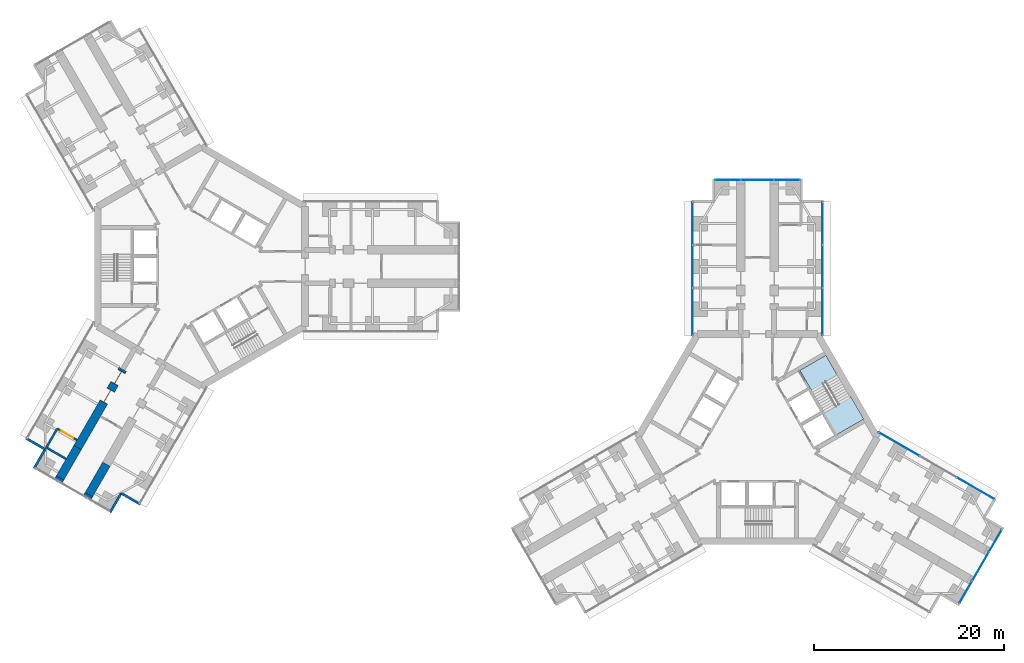
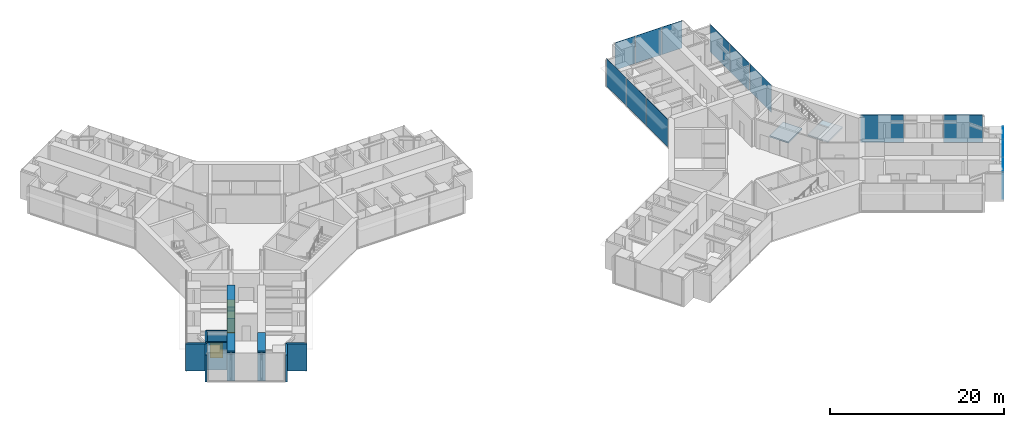
# One storey, part 15 of 23: 14 plates, 12 walls, 3 doors, 2 slabs, 3 openings, 6 elements without a shape of their own.
"""IFC4 building model written with IfcOpenShell, lengths in metres."""

from ifc_helpers import new_model, si_unit, direction, frame, frame_2d, origin, origin_2d, place, context, subcontext, project, spatial, polyline, rectangle, outline, extrude, material, layer, layer_set, type_object, element, fill, aggregate, save


model = new_model("IFC4")

# Units and contexts
model_context = context("Model", 3, precision=1e-05, world=origin(), true_north=direction((0.0, 1.0)))
body_context = subcontext(model_context, "Body", "Model", "MODEL_VIEW")
ifc_project = project(units=[si_unit("LENGTHUNIT", "METRE"), si_unit("AREAUNIT", "SQUARE_METRE"), si_unit("VOLUMEUNIT", "CUBIC_METRE"), si_unit("PLANEANGLEUNIT", "RADIAN"), si_unit("MASSUNIT", "GRAM", prefix="KILO")], contexts=[model_context])

# Site, building, storey
site_placement = place(None, origin())
site = spatial("IfcSite", under=ifc_project, at=site_placement, CompositionType="ELEMENT")
building_placement = place(site_placement, origin())
building = spatial("IfcBuilding", under=site, at=building_placement, Name="Upepo Twin Towers", CompositionType="ELEMENT")
storey_placement = place(building_placement, frame((0.0, 0.0, 32.5)))
storey = spatial("IfcBuildingStorey", under=building, at=storey_placement, Name="L07", CompositionType="ELEMENT", Elevation=32.5)

# Curtain wall, plates
ifc_material_1 = material(Name="Aluminium and fritted glass", Category="aluminium")
curtain_wall_type = type_object("IfcCurtainWallType", Name="Tower curtain wall TW1, fritted glass", PredefinedType="NOTDEFINED", material=ifc_material_1)
curtain_wall_1_placement = place(storey_placement, origin())
curtain_wall_1 = element("IfcCurtainWall", 1, at=curtain_wall_1_placement, inside=storey, type_object=curtain_wall_type, Name="T2 L07 wing A flank L curtain wall", PredefinedType="NOTDEFINED")
ifc_material_2 = material(Name="Ceramic-fritted laminated glass", Category="glass")
ifc_layer_1 = layer(ifc_material_2, 0.031982421875)
ifc_layer_set_1 = layer_set([ifc_layer_1], Name="Fritted glass panel, 20 per cent dot frit, 32 mm double glazed")
plate_type_1 = type_object("IfcPlateType", Name="Fritted glass panel, 20 per cent dot frit, 32 mm double glazed", PredefinedType="CURTAIN_PANEL", material=ifc_layer_set_1)
plate_1_placement = place(storey_placement, frame((51.64990234375, -4.76513671875, 0.14990234375), z_axis=(0.0, 0.0, 1.0), x_axis=(0.0, 1.0, 0.0)))
plate_1 = element("IfcPlate", 2, at=plate_1_placement, type_object=plate_type_1, Name="T2 L07 wing A flank L curtain wall panel 1", PredefinedType="CURTAIN_PANEL", context=body_context, shape_type="SweptSolid", body=[
    extrude(rectangle(XDim=4.96533203125, YDim=0.031982421875, at=origin_2d()), origin(), (0.0, 0.0, 1.0), 3.85009765625),
])
plate_2_placement = place(storey_placement, frame((51.64990234375, 0.0, 0.14990234375), z_axis=(0.0, 0.0, 1.0), x_axis=(0.0, 1.0, 0.0)))
plate_2 = element("IfcPlate", 3, at=plate_2_placement, type_object=plate_type_1, Name="T2 L07 wing A flank L curtain wall panel 2", PredefinedType="CURTAIN_PANEL", context=body_context, shape_type="SweptSolid", body=[
    extrude(rectangle(XDim=4.43505859375, YDim=0.031982421875, at=origin_2d()), origin(), (0.0, 0.0, 1.0), 3.85009765625),
])
plate_3_placement = place(storey_placement, frame((51.64990234375, 4.53369140625, 0.14990234375), z_axis=(0.0, 0.0, 1.0), x_axis=(0.0, 1.0, 0.0)))
plate_3 = element("IfcPlate", 4, at=plate_3_placement, type_object=plate_type_1, Name="T2 L07 wing A flank L curtain wall panel 3", PredefinedType="CURTAIN_PANEL", context=body_context, shape_type="SweptSolid", body=[
    extrude(rectangle(XDim=4.50244140625, YDim=0.031982421875, at=origin_2d()), origin(), (0.0, 0.0, 1.0), 3.85009765625),
])
aggregate(curtain_wall_1, [plate_1, plate_2, plate_3])

curtain_wall_2_placement = place(storey_placement, origin())
curtain_wall_2 = element("IfcCurtainWall", 5, at=curtain_wall_2_placement, inside=storey, type_object=curtain_wall_type, Name="T2 L07 wing A flank R curtain wall", PredefinedType="NOTDEFINED")
plate_4_placement = place(storey_placement, frame((65.35009765625, 4.53369140625, 0.14990234375), z_axis=(0.0, 0.0, 1.0), x_axis=(0.0, -1.0, 0.0)))
plate_4 = element("IfcPlate", 6, at=plate_4_placement, type_object=plate_type_1, Name="T2 L07 wing A flank R curtain wall panel 1", PredefinedType="CURTAIN_PANEL", context=body_context, shape_type="SweptSolid", body=[
    extrude(rectangle(XDim=4.50244140625, YDim=0.031982421875, at=origin_2d()), origin(), (0.0, 0.0, 1.0), 3.85009765625),
])
plate_5_placement = place(storey_placement, frame((65.35009765625, 0.0, 0.14990234375), z_axis=(0.0, 0.0, 1.0), x_axis=(0.0, -1.0, 0.0)))
plate_5 = element("IfcPlate", 7, at=plate_5_placement, type_object=plate_type_1, Name="T2 L07 wing A flank R curtain wall panel 2", PredefinedType="CURTAIN_PANEL", context=body_context, shape_type="SweptSolid", body=[
    extrude(rectangle(XDim=4.43505859375, YDim=0.031982421875, at=origin_2d()), origin(), (0.0, 0.0, 1.0), 3.85009765625),
])
plate_6_placement = place(storey_placement, frame((65.35009765625, -4.76513671875, 0.14990234375), z_axis=(0.0, 0.0, 1.0), x_axis=(0.0, -1.0, 0.0)))
plate_6 = element("IfcPlate", 8, at=plate_6_placement, type_object=plate_type_1, Name="T2 L07 wing A flank R curtain wall panel 3", PredefinedType="CURTAIN_PANEL", context=body_context, shape_type="SweptSolid", body=[
    extrude(rectangle(XDim=4.96533203125, YDim=0.031982421875, at=origin_2d()), origin(), (0.0, 0.0, 1.0), 3.85009765625),
])
aggregate(curtain_wall_2, [plate_4, plate_5, plate_6])

# Curtain wall, plate
curtain_wall_3_placement = place(storey_placement, origin())
curtain_wall_3 = element("IfcCurtainWall", 9, at=curtain_wall_3_placement, inside=storey, type_object=curtain_wall_type, Name="T2 L07 wing A nose curtain wall", PredefinedType="NOTDEFINED")
plate_7_placement = place(storey_placement, frame((58.5, 9.10009765625, 0.14990234375), z_axis=(0.0, 0.0, 1.0), x_axis=(-1.0, 0.0, 0.0)))
plate_7 = element("IfcPlate", 10, at=plate_7_placement, type_object=plate_type_1, Name="T2 L07 wing A nose curtain wall panel 2", PredefinedType="CURTAIN_PANEL", context=body_context, shape_type="SweptSolid", body=[
    extrude(rectangle(XDim=3.43505859375, YDim=0.031982421875, at=origin_2d()), origin(), (0.0, 0.0, 1.0), 3.85009765625),
])

# Curtain wall, plates
curtain_wall_4_placement = place(storey_placement, origin())
curtain_wall_4 = element("IfcCurtainWall", 11, at=curtain_wall_4_placement, inside=storey, type_object=curtain_wall_type, Name="T2 L07 wing C flank L curtain wall", PredefinedType="NOTDEFINED")
plate_8_placement = place(storey_placement, frame((73.38671875, -18.68505859375, 0.14990234375), z_axis=(0.0, 0.0, 1.0), x_axis=(0.866025389682, -0.500000024426, 0.0)))
plate_8 = element("IfcPlate", 12, at=plate_8_placement, type_object=plate_type_1, Name="T2 L07 wing C flank L curtain wall panel 1", PredefinedType="CURTAIN_PANEL", context=body_context, shape_type="SweptSolid", body=[
    extrude(rectangle(XDim=4.96533203125, YDim=0.031982421875, at=origin_2d()), origin(), (0.0, 0.0, 1.0), 3.85009765625),
])
plate_9_placement = place(storey_placement, frame((81.439697265625, -23.334716796875, 0.14990234375), z_axis=(0.0, 0.0, 1.0), x_axis=(0.866025389682, -0.500000024426, 0.0)))
plate_9 = element("IfcPlate", 13, at=plate_9_placement, type_object=plate_type_1, Name="T2 L07 wing C flank L curtain wall panel 3", PredefinedType="CURTAIN_PANEL", context=body_context, shape_type="SweptSolid", body=[
    extrude(rectangle(XDim=4.50244140625, YDim=0.031982421875, at=origin_2d()), origin(), (0.0, 0.0, 1.0), 3.85009765625),
])
aggregate(curtain_wall_4, [plate_8, plate_9])

# Curtain wall, plate
curtain_wall_5_placement = place(storey_placement, origin())
curtain_wall_5 = element("IfcCurtainWall", 14, at=curtain_wall_5_placement, inside=storey, type_object=curtain_wall_type, Name="T2 L07 wing C nose curtain wall", PredefinedType="NOTDEFINED")
plate_10_placement = place(storey_placement, frame((81.96923828125, -31.550048828125, 0.14990234375), z_axis=(0.0, 0.0, 1.0), x_axis=(0.500000030502, 0.866025386174, 0.0)))
plate_10 = element("IfcPlate", 15, at=plate_10_placement, type_object=plate_type_1, Name="T2 L07 wing C nose curtain wall panel 2", PredefinedType="CURTAIN_PANEL", context=body_context, shape_type="SweptSolid", body=[
    extrude(rectangle(XDim=3.43505859375, YDim=0.031982421875, at=origin_2d()), origin(), (0.0, 0.0, 1.0), 3.85009765625),
])

# Plate
ifc_material_3 = material(Name="Clear laminated glass in opening sash", Category="glass")
ifc_layer_2 = layer(ifc_material_3, 0.031982421875)
ifc_layer_set_2 = layer_set([ifc_layer_2], Name="Operable glass panel, 32 mm double glazed")
plate_type_2 = type_object("IfcPlateType", Name="Operable glass panel, 32 mm double glazed", PredefinedType="CURTAIN_PANEL", material=ifc_layer_set_2)
plate_11_placement = place(storey_placement, frame((61.608642578125, 9.10009765625, 0.14990234375), z_axis=(0.0, 0.0, 1.0), x_axis=(-1.0, 0.0, 0.0)))
plate_11 = element("IfcPlate", 16, at=plate_11_placement, type_object=plate_type_2, Name="T2 L07 wing A nose curtain wall panel 1", PredefinedType="CURTAIN_PANEL", context=body_context, shape_type="SweptSolid", body=[
    extrude(rectangle(XDim=2.652587890625, YDim=0.031982421875, at=origin_2d()), origin(), (0.0, 0.0, 1.0), 3.85009765625),
])

plate_12_placement = place(storey_placement, frame((55.391357421875, 9.10009765625, 0.14990234375), z_axis=(0.0, 0.0, 1.0), x_axis=(-1.0, 0.0, 0.0)))
plate_12 = element("IfcPlate", 17, at=plate_12_placement, type_object=plate_type_2, Name="T2 L07 wing A nose curtain wall panel 3", PredefinedType="CURTAIN_PANEL", context=body_context, shape_type="SweptSolid", body=[
    extrude(rectangle(XDim=2.652587890625, YDim=0.031982421875, at=origin_2d()), origin(), (0.0, 0.0, 1.0), 3.85009765625),
])

aggregate(curtain_wall_3, [plate_11, plate_7, plate_12])

plate_13_placement = place(storey_placement, frame((80.414794921875, -34.2421875, 0.14990234375), z_axis=(0.0, 0.0, 1.0), x_axis=(0.500000030502, 0.866025386174, 0.0)))
plate_13 = element("IfcPlate", 18, at=plate_13_placement, type_object=plate_type_2, Name="T2 L07 wing C nose curtain wall panel 1", PredefinedType="CURTAIN_PANEL", context=body_context, shape_type="SweptSolid", body=[
    extrude(rectangle(XDim=2.652587890625, YDim=0.031982421875, at=origin_2d()), origin(), (0.0, 0.0, 1.0), 3.85009765625),
])

plate_14_placement = place(storey_placement, frame((83.523681640625, -28.857666015625, 0.14990234375), z_axis=(0.0, 0.0, 1.0), x_axis=(0.500000030502, 0.866025386174, 0.0)))
plate_14 = element("IfcPlate", 19, at=plate_14_placement, type_object=plate_type_2, Name="T2 L07 wing C nose curtain wall panel 3", PredefinedType="CURTAIN_PANEL", context=body_context, shape_type="SweptSolid", body=[
    extrude(rectangle(XDim=2.652587890625, YDim=0.031982421875, at=origin_2d()), origin(), (0.0, 0.0, 1.0), 3.85009765625),
])

aggregate(curtain_wall_5, [plate_13, plate_10, plate_14])

# Stair, slabs
ifc_material_4 = material(Name="Concrete C40/50", Category="concrete")
stair_type = type_object("IfcStairType", Name="Core stair, two flights", PredefinedType="HALF_TURN_STAIR", material=ifc_material_4)
stair_placement = place(storey_placement, origin())
stair = element("IfcStair", 20, at=stair_placement, inside=storey, type_object=stair_type, Name="T2 stair S2 L07", PredefinedType="HALF_TURN_STAIR")
ifc_material_5 = material(Name="Concrete C40/50", Category="concrete")
ifc_layer_3 = layer(ifc_material_5, 0.199951171875)
ifc_layer_set_3 = layer_set([ifc_layer_3], Name="Concrete C40/50")
slab_type = type_object("IfcSlabType", Name="Stair landing 200 RC", PredefinedType="LANDING", material=ifc_layer_set_3)
slab_1_placement = place(storey_placement, frame((0.0, 0.0, -0.199951171875)))
slab_1 = element("IfcSlab", 21, at=slab_1_placement, type_object=slab_type, Name="Stair S2 landing 1", PredefinedType="LANDING", context=body_context, shape_type="SweptSolid", body=[
    extrude(outline(polyline([(64.198486328125, -13.0703125), (66.933837890625, -11.490966796875), (65.69384765625, -9.34326171875), (62.95849609375, -10.922607421875), (64.198486328125, -13.0703125)])), origin(), (0.0, 0.0, 1.0), 0.199951171875),
])
slab_2_placement = place(storey_placement, frame((0.0, 0.0, 1.800048828125)))
slab_2 = element("IfcSlab", 22, at=slab_2_placement, type_object=slab_type, Name="Stair S2 landing 2", PredefinedType="LANDING", context=body_context, shape_type="SweptSolid", body=[
    extrude(outline(polyline([(66.77197265625, -17.7275390625), (69.680419921875, -16.04833984375), (68.3203125, -13.692626953125), (65.411865234375, -15.371826171875), (66.77197265625, -17.7275390625)])), origin(), (0.0, 0.0, 1.0), 0.199951171875),
])
aggregate(stair, [slab_1, slab_2])

# Wall
ifc_material_6 = material(Name="Concrete blockwork, plastered both faces", Category="masonry")
ifc_layer_4 = layer(ifc_material_6, 0.215087890625)
ifc_layer_set_4 = layer_set([ifc_layer_4], Name="Blockwork partition 215")
wall_type_1 = type_object("IfcWallType", Name="Blockwork partition 215", PredefinedType="PARTITIONING", material=ifc_layer_set_4)
wall_1_placement = place(storey_placement, frame((-15.15869140625, -17.0556640625, 0.0), z_axis=(0.0, 0.0, 1.0), x_axis=(-0.500001309137, -0.866024647952, 0.0)))
element("IfcWall", 23, at=wall_1_placement, inside=storey, type_object=wall_type_1, Name="T1 inner room partition CR at 22.35", PredefinedType="PARTITIONING", context=body_context, shape_type="SweptSolid", body=[
    extrude(rectangle(XDim=2.39990234375, YDim=0.215087890625, at=frame_2d((1.199951171875, 0.0))), origin(), (0.0, 0.0, 1.0), 3.800048828125),
])

# Wall, opening, door
wall_2_placement = place(storey_placement, frame((-13.080322265625, -18.255615234375, 0.0), z_axis=(0.0, 0.0, 1.0), x_axis=(-0.866024647952, 0.500001309137, 0.0)))
wall_2 = element("IfcWall", 24, at=wall_2_placement, inside=storey, type_object=wall_type_1, Name="T1 inner room partition CR end at 22.35", PredefinedType="PARTITIONING", context=body_context, shape_type="SweptSolid", body=[
    extrude(rectangle(XDim=2.39990234375, YDim=0.215087890625, at=frame_2d((1.199951171875, 0.0))), origin(), (0.0, 0.0, 1.0), 3.800048828125),
])
opening_1_placement = place(wall_2_placement, frame((0.449951171875, 0.0, 0.0)))
opening_1 = element("IfcOpeningElement", 25, at=opening_1_placement, cuts=wall_2, Name="Opening D13", PredefinedType="OPENING", context=body_context, shape_type="SweptSolid", body=[
    extrude(rectangle(XDim=1.5, YDim=2.10009765625, at=frame_2d((0.75, 1.050048828125))), frame((0.0, 0.117431640625, 0.0), z_axis=(0.0, -1.0, 0.0), x_axis=(1.0, 0.0, 0.0)), (0.0, 0.0, 1.0), 0.235107421875),
])
ifc_material_7 = material(Name="Timber doorset", Category="wood")
door_type = type_object("IfcDoorType", Name="Double door 1500 FD30", OperationType="DOUBLE_DOOR_SINGLE_SWING", PredefinedType="DOOR", material=ifc_material_7)
door_1_placement = place(opening_1_placement, origin())
door_1 = element("IfcDoor", 26, at=door_1_placement, inside=storey, type_object=door_type, Name="T1 L07 inner room door", OperationType="DOUBLE_DOOR_SINGLE_SWING", OverallHeight=2.10009765625, OverallWidth=1.5, PredefinedType="DOOR", context=body_context, shape_type="SweptSolid", body=[
    extrude(rectangle(XDim=1.5, YDim=2.10009765625, at=frame_2d((0.75, 1.050048828125))), frame((0.0, 0.02490234375, 0.0), z_axis=(0.0, -1.0, 0.0), x_axis=(1.0, 0.0, 0.0)), (0.0, 0.0, 1.0), 0.050048828125),
])
fill(opening_1, door_1)

# Walls
wall_3_placement = place(storey_placement, frame((-14.2265625, -20.240966796875, 0.0), z_axis=(0.0, 0.0, 1.0), x_axis=(-0.866024647952, 0.500001309137, 0.0)))
element("IfcWall", 27, at=wall_3_placement, inside=storey, type_object=wall_type_1, Name="T1 inner room partition CR end at 24.75", PredefinedType="PARTITIONING", context=body_context, shape_type="SweptSolid", body=[
    extrude(rectangle(XDim=2.39990234375, YDim=0.215087890625, at=frame_2d((1.199951171875, 0.0))), origin(), (0.0, 0.0, 1.0), 3.800048828125),
])
ifc_material_8 = material(Name="Dense concrete blockwork", Category="masonry")
ifc_layer_5 = layer(ifc_material_8, 0.89990234375)
ifc_layer_set_5 = layer_set([ifc_layer_5], Name="Buttress closer 900, blockwork with fire-stopping to the curtain wall")
wall_type_2 = type_object("IfcWallType", Name="Buttress closer 900, blockwork with fire-stopping to the curtain wall", PredefinedType="PARTITIONING", material=ifc_layer_set_5)
for number, where, z_axis, x_axis, name in (
    (28, (-11.83447265625, -23.997802734375, 0.0), (0.0, 0.0, 1.0), (-0.499949632511, -0.866054481515, 0.0), "T1 L07 wing C buttress closer L"),
    (29, (-14.865478515625, -22.247802734375, 0.0), (0.0, 0.0, 1.0), (-0.499949632511, -0.866054481515, 0.0), "T1 L07 wing C buttress closer R"),
):
    element("IfcWall", number, at=place(storey_placement, frame(where, z_axis=z_axis, x_axis=x_axis)), inside=storey, type_object=wall_type_2, Name=name, PredefinedType="PARTITIONING", context=body_context, shape_type="SweptSolid", body=[
        extrude(rectangle(XDim=0.31005859375, YDim=0.89990234375, at=frame_2d((0.155029296875, 0.0))), origin(), (0.0, 0.0, 1.0), 3.800048828125),
    ])
ifc_material_9 = material(Name="Concrete C60/75", Category="concrete")
ifc_layer_6 = layer(ifc_material_9, 0.89990234375)
ifc_layer_set_6 = layer_set([ifc_layer_6], Name="Concrete C60/75")
wall_type_3 = type_object("IfcWallType", Name="Buttress wall 900 RC", PredefinedType="SHEAR", material=ifc_layer_set_6)
wall_4_placement = place(storey_placement, frame((-9.984375, -20.793701171875, 0.0), z_axis=(0.0, 0.0, 1.0), x_axis=(-0.500042316284, -0.866000971088, 0.0)))
element("IfcWall", 30, at=wall_4_placement, inside=storey, type_object=wall_type_3, Name="T1 wing C buttress wall L part 3", PredefinedType="SHEAR", context=body_context, shape_type="SweptSolid", body=[
    extrude(rectangle(XDim=3.699951171875, YDim=0.89990234375, at=frame_2d((1.85009765625, 0.0))), origin(), (0.0, 0.0, 1.0), 4.0),
])

# Wall, openings, doors
wall_5_placement = place(storey_placement, frame((-8.265625, -10.81640625, 0.0), z_axis=(0.0, 0.0, 1.0), x_axis=(-0.499997557548, -0.86602681393, 0.0)))
wall_5 = element("IfcWall", 31, at=wall_5_placement, inside=storey, type_object=wall_type_3, Name="T1 wing C buttress wall R part 2", PredefinedType="SHEAR", context=body_context, shape_type="SweptSolid", body=[
    extrude(rectangle(XDim=9.5, YDim=0.89990234375, at=frame_2d((4.75, 0.0))), origin(), (0.0, 0.0, 1.0), 4.0),
])
opening_2_placement = place(wall_5_placement, frame((0.25, 0.0, 0.0)))
opening_2 = element("IfcOpeningElement", 32, at=opening_2_placement, cuts=wall_5, Name="Opening D13", PredefinedType="OPENING", context=body_context, shape_type="SweptSolid", body=[
    extrude(rectangle(XDim=1.5, YDim=2.10009765625, at=frame_2d((0.75, 1.050048828125))), frame((0.0, 0.4599609375, 0.0), z_axis=(0.0, -1.0, 0.0), x_axis=(1.0, 0.0, 0.0)), (0.0, 0.0, 1.0), 0.919921875),
])
opening_3_placement = place(wall_5_placement, frame((2.5, 0.0, 0.0)))
opening_3 = element("IfcOpeningElement", 33, at=opening_3_placement, cuts=wall_5, Name="Opening D13", PredefinedType="OPENING", context=body_context, shape_type="SweptSolid", body=[
    extrude(rectangle(XDim=1.5, YDim=2.10009765625, at=frame_2d((0.75, 1.050048828125))), frame((0.0, 0.4599609375, 0.0), z_axis=(0.0, -1.0, 0.0), x_axis=(1.0, 0.0, 0.0)), (0.0, 0.0, 1.0), 0.919921875),
])
door_2_placement = place(opening_2_placement, origin())
door_2 = element("IfcDoor", 34, at=door_2_placement, inside=storey, type_object=door_type, Name="T1 L07 teaching laboratory door", OperationType="DOUBLE_DOOR_SINGLE_SWING", OverallHeight=2.10009765625, OverallWidth=1.5, PredefinedType="DOOR", context=body_context, shape_type="SweptSolid", body=[
    extrude(rectangle(XDim=1.42, YDim=2.06009765625, at=frame_2d((0.75, 1.030029296875))), frame((0.0, 0.02490234375, 0.0), z_axis=(0.0, -1.0, 0.0), x_axis=(1.0, 0.0, 0.0)), (0.0, 0.0, 1.0), 0.050048828125),
    extrude(rectangle(XDim=0.04, YDim=2.10009765625, at=frame_2d((0.02001953125, 1.050048828125))), frame((0.0, 0.44970703125, 0.0), z_axis=(0.0, -1.0, 0.0), x_axis=(1.0, 0.0, 0.0)), (0.0, 0.0, 1.0), 0.8994140625),
    extrude(rectangle(XDim=0.04, YDim=2.10009765625, at=frame_2d((1.47998046875, 1.050048828125))), frame((0.0, 0.44970703125, 0.0), z_axis=(0.0, -1.0, 0.0), x_axis=(1.0, 0.0, 0.0)), (0.0, 0.0, 1.0), 0.8994140625),
    extrude(rectangle(XDim=1.42, YDim=0.04, at=frame_2d((0.75, 2.080078125))), frame((0.0, 0.44970703125, 0.0), z_axis=(0.0, -1.0, 0.0), x_axis=(1.0, 0.0, 0.0)), (0.0, 0.0, 1.0), 0.8994140625),
])
fill(opening_2, door_2)
door_3_placement = place(opening_3_placement, origin())
door_3 = element("IfcDoor", 35, at=door_3_placement, inside=storey, type_object=door_type, Name="T1 L07 teaching laboratory door", OperationType="DOUBLE_DOOR_SINGLE_SWING", OverallHeight=2.10009765625, OverallWidth=1.5, PredefinedType="DOOR", context=body_context, shape_type="SweptSolid", body=[
    extrude(rectangle(XDim=1.42, YDim=2.06009765625, at=frame_2d((0.75, 1.030029296875))), frame((0.0, 0.02490234375, 0.0), z_axis=(0.0, -1.0, 0.0), x_axis=(1.0, 0.0, 0.0)), (0.0, 0.0, 1.0), 0.050048828125),
    extrude(rectangle(XDim=0.04, YDim=2.10009765625, at=frame_2d((0.02001953125, 1.050048828125))), frame((0.0, 0.44970703125, 0.0), z_axis=(0.0, -1.0, 0.0), x_axis=(1.0, 0.0, 0.0)), (0.0, 0.0, 1.0), 0.8994140625),
    extrude(rectangle(XDim=0.04, YDim=2.10009765625, at=frame_2d((1.47998046875, 1.050048828125))), frame((0.0, 0.44970703125, 0.0), z_axis=(0.0, -1.0, 0.0), x_axis=(1.0, 0.0, 0.0)), (0.0, 0.0, 1.0), 0.8994140625),
    extrude(rectangle(XDim=1.42, YDim=0.04, at=frame_2d((0.75, 2.080078125))), frame((0.0, 0.44970703125, 0.0), z_axis=(0.0, -1.0, 0.0), x_axis=(1.0, 0.0, 0.0)), (0.0, 0.0, 1.0), 0.8994140625),
])
fill(opening_3, door_3)

# Walls
wall_6_placement = place(storey_placement, frame((-13.015625, -19.043701171875, 0.0), z_axis=(0.0, 0.0, 1.0), x_axis=(-0.499992827086, -0.866029545028, 0.0)))
element("IfcWall", 36, at=wall_6_placement, inside=storey, type_object=wall_type_3, Name="T1 wing C buttress wall R part 3", PredefinedType="SHEAR", context=body_context, shape_type="SweptSolid", body=[
    extrude(rectangle(XDim=3.69970703125, YDim=0.89990234375, at=frame_2d((1.849853515625, 0.0))), origin(), (0.0, 0.0, 1.0), 4.0),
])
ifc_material_10 = material(Name="Blockwork with anodised aluminium cladding", Category="masonry")
ifc_layer_7 = layer(ifc_material_10, 0.25)
ifc_layer_set_7 = layer_set([ifc_layer_7], Name="Notch cladding wall 250, pale metal")
wall_type_4 = type_object("IfcWallType", Name="Notch cladding wall 250, pale metal", PredefinedType="STANDARD", material=ifc_layer_set_7)
for number, where, z_axis, x_axis, name in (
    (37, (-6.418701171875, -25.017333984375, 0.0), (0.0, 0.0, 1.0), (-0.866043940782, 0.499967891604, 0.0), "T1 L07 wing C notch wall L1"),
    (38, (-8.43212890625, -23.85498046875, 0.0), (0.0, 0.0, 1.0), (-0.500046648681, -0.865998469481, 0.0), "T1 L07 wing C notch wall L2"),
    (39, (-18.456298828125, -18.0673828125, 0.0), (0.0, 0.0, 1.0), (0.865998469481, -0.500046648681, 0.0), "T1 L07 wing C notch wall R1"),
    (40, (-16.44287109375, -19.22998046875, 0.0), (0.0, 0.0, 1.0), (-0.500046648681, -0.865998469481, 0.0), "T1 L07 wing C notch wall R2"),
):
    element("IfcWall", number, at=place(storey_placement, frame(where, z_axis=z_axis, x_axis=x_axis)), inside=storey, type_object=wall_type_4, Name=name, PredefinedType="STANDARD", context=body_context, shape_type="SweptSolid", body=[
        extrude(rectangle(XDim=2.324951171875, YDim=0.25, at=frame_2d((1.16259765625, 0.0))), origin(), (0.0, 0.0, 1.0), 3.800048828125),
    ])

save(model, "model.ifc")
